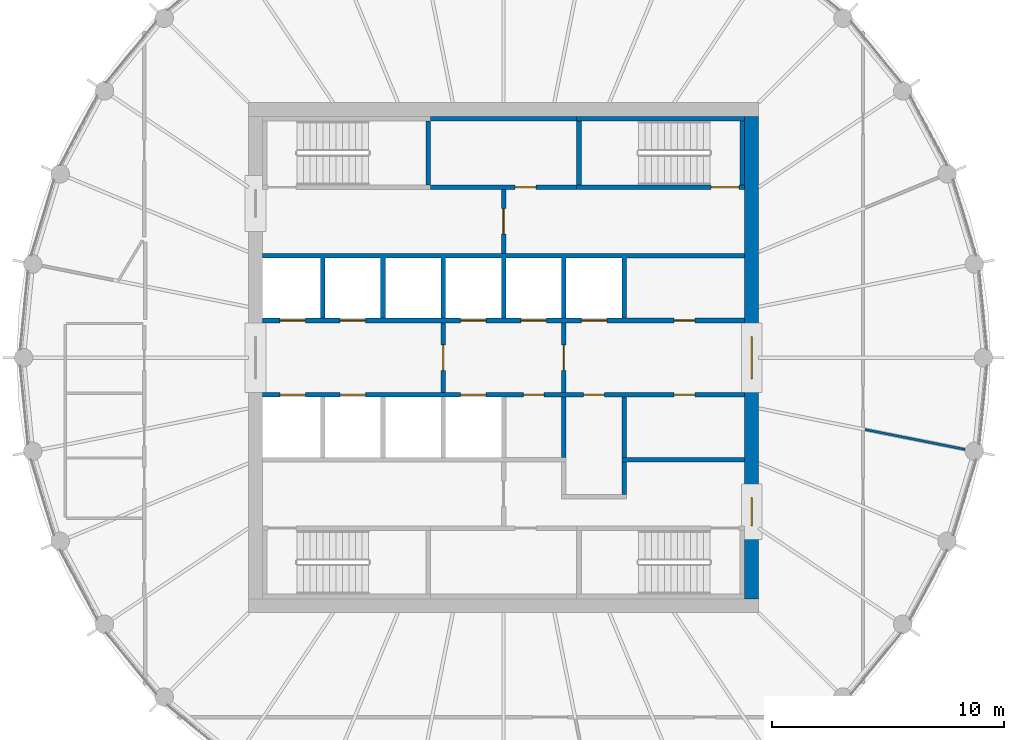
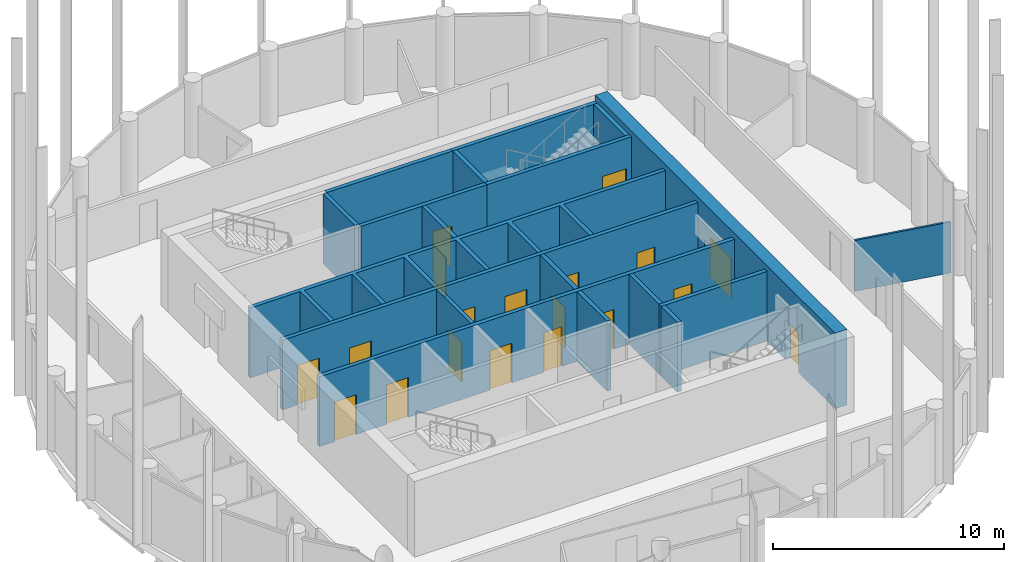
# One storey, part 5 of 7: 19 doors, 19 walls, 19 openings.
"""IFC4 building model written with IfcOpenShell, lengths in metres."""

from ifc_helpers import new_model, si_unit, direction, frame, frame_2d, origin, place, context, subcontext, project, spatial, polyline, rectangle, outline, extrude, material, layer, layer_set, type_object, element, fill, save


model = new_model("IFC4")

# Units and contexts
model_context = context("Model", 3, precision=1e-05, world=origin(), true_north=direction((0.0, 1.0)))
body_context = subcontext(model_context, "Body", "Model", "MODEL_VIEW")
ifc_project = project(units=[si_unit("LENGTHUNIT", "METRE"), si_unit("AREAUNIT", "SQUARE_METRE"), si_unit("VOLUMEUNIT", "CUBIC_METRE"), si_unit("PLANEANGLEUNIT", "RADIAN"), si_unit("MASSUNIT", "GRAM", prefix="KILO")], contexts=[model_context])

# Site, building, storey
site_placement = place(None, origin())
site = spatial("IfcSite", under=ifc_project, at=site_placement, CompositionType="ELEMENT")
building_placement = place(site_placement, origin())
building = spatial("IfcBuilding", under=site, at=building_placement, Name="Corvane Civic Tower", CompositionType="ELEMENT")
storey_placement = place(building_placement, frame((0.0, 0.0, 324.5)))
storey = spatial("IfcBuildingStorey", under=building, at=storey_placement, Name="L77", CompositionType="ELEMENT", Elevation=324.5)

# Wall, openings, doors
ifc_material_1 = material(Name="Concrete C40/50", Category="concrete")
ifc_layer_1 = layer(ifc_material_1, 0.60009765625)
ifc_layer_set_1 = layer_set([ifc_layer_1], Name="Concrete C40/50")
wall_type_1 = type_object("IfcWallType", Name="CORE WALL 600 C40/50", PredefinedType="SHEAR", material=ifc_layer_set_1)
wall_1_placement = place(storey_placement, frame((10.699951171875, -10.39990234375, 0.0), z_axis=(0.0, 0.0, 1.0), x_axis=(0.0, 1.0, 0.0)))
wall_1 = element("IfcWall", 1, at=wall_1_placement, inside=storey, type_object=wall_type_1, Name="W-L77-core-E", PredefinedType="SHEAR", context=body_context, shape_type="SweptSolid", body=[
    extrude(rectangle(XDim=20.7998046875, YDim=0.60009765625, at=frame_2d((10.39990234375, 0.0))), origin(), (0.0, 0.0, 1.0), 4.0),
])
opening_1_placement = place(wall_1_placement, frame((9.5, 0.0, 0.0)))
opening_1 = element("IfcOpeningElement", 2, at=opening_1_placement, cuts=wall_1, Name="Opening L77.C16", PredefinedType="OPENING", context=body_context, shape_type="SweptSolid", body=[
    extrude(rectangle(XDim=1.800048828125, YDim=2.10009765625, at=frame_2d((0.89990234375, 1.050048828125))), frame((0.0, 0.31005859375, 0.0), z_axis=(0.0, -1.0, 0.0), x_axis=(1.0, 0.0, 0.0)), (0.0, 0.0, 1.0), 0.6201171875),
])
opening_2_placement = place(wall_1_placement, frame((3.14990234375, 0.0, 0.0)))
opening_2 = element("IfcOpeningElement", 3, at=opening_2_placement, cuts=wall_1, Name="Opening L77.C18", PredefinedType="OPENING", context=body_context, shape_type="SweptSolid", body=[
    extrude(rectangle(XDim=1.199951171875, YDim=2.10009765625, at=frame_2d((0.60009765625, 1.050048828125))), frame((0.0, 0.31005859375, 0.0), z_axis=(0.0, -1.0, 0.0), x_axis=(1.0, 0.0, 0.0)), (0.0, 0.0, 1.0), 0.6201171875),
])
ifc_material_2 = material(Name="Steel fire door leaf", Category="steel")
door_type_1 = type_object("IfcDoorType", Name="CR-DOOR-CORE-1800", OperationType="DOUBLE_DOOR_SINGLE_SWING", PredefinedType="DOOR", material=ifc_material_2)
door_1_placement = place(opening_1_placement, origin())
door_1 = element("IfcDoor", 4, at=door_1_placement, inside=storey, type_object=door_type_1, Name="L77 door", OperationType="DOUBLE_DOOR_SINGLE_SWING", OverallHeight=2.10009765625, OverallWidth=1.800048828125, PredefinedType="DOOR", context=body_context, shape_type="SweptSolid", body=[
    extrude(rectangle(XDim=1.800048828125, YDim=2.10009765625, at=frame_2d((0.89990234375, 1.050048828125))), frame((0.0, 0.02490234375, 0.0), z_axis=(0.0, -1.0, 0.0), x_axis=(1.0, 0.0, 0.0)), (0.0, 0.0, 1.0), 0.050048828125),
])
fill(opening_1, door_1)
door_2_placement = place(opening_2_placement, origin())
door_2 = element("IfcDoor", 5, at=door_2_placement, inside=storey, type_object=door_type_1, Name="L77 door", OperationType="DOUBLE_DOOR_SINGLE_SWING", OverallHeight=2.10009765625, OverallWidth=1.199951171875, PredefinedType="DOOR", context=body_context, shape_type="SweptSolid", body=[
    extrude(rectangle(XDim=1.199951171875, YDim=2.10009765625, at=frame_2d((0.60009765625, 1.050048828125))), frame((0.0, 0.02490234375, 0.0), z_axis=(0.0, -1.0, 0.0), x_axis=(1.0, 0.0, 0.0)), (0.0, 0.0, 1.0), 0.050048828125),
])
fill(opening_2, door_2)

ifc_material_3 = material(Name="Concrete C30/37", Category="concrete")
ifc_layer_2 = layer(ifc_material_3, 0.199951171875)
ifc_layer_set_2 = layer_set([ifc_layer_2], Name="Concrete C30/37")
wall_type_2 = type_object("IfcWallType", Name="CR-WALL-200", PredefinedType="PARTITIONING", material=ifc_layer_set_2)
wall_2_placement = place(storey_placement, frame((-10.39990234375, -1.60009765625, 0.0), z_axis=(0.0, 0.0, 1.0), x_axis=(1.0, 0.0, 0.0)))
wall_2 = element("IfcWall", 6, at=wall_2_placement, inside=storey, type_object=wall_type_2, Name="L77 lift shaft wall", PredefinedType="PARTITIONING", context=body_context, shape_type="SweptSolid", body=[
    extrude(rectangle(XDim=20.7998046875, YDim=0.199951171875, at=frame_2d((10.39990234375, 0.0))), origin(), (0.0, 0.0, 1.0), 3.699951171875),
])
opening_3_placement = place(wall_2_placement, frame((0.75, 0.0, 0.0)))
opening_3 = element("IfcOpeningElement", 7, at=opening_3_placement, cuts=wall_2, Name="Opening LD", PredefinedType="OPENING", context=body_context, shape_type="SweptSolid", body=[
    extrude(rectangle(XDim=1.10009765625, YDim=2.10009765625, at=frame_2d((0.550048828125, 1.050048828125))), frame((0.0, 0.10986328125, 0.0), z_axis=(0.0, -1.0, 0.0), x_axis=(1.0, 0.0, 0.0)), (0.0, 0.0, 1.0), 0.219970703125),
])
opening_4_placement = place(wall_2_placement, frame((3.35009765625, 0.0, 0.0)))
opening_4 = element("IfcOpeningElement", 8, at=opening_4_placement, cuts=wall_2, Name="Opening LD", PredefinedType="OPENING", context=body_context, shape_type="SweptSolid", body=[
    extrude(rectangle(XDim=1.10009765625, YDim=2.10009765625, at=frame_2d((0.550048828125, 1.050048828125))), frame((0.0, 0.10986328125, 0.0), z_axis=(0.0, -1.0, 0.0), x_axis=(1.0, 0.0, 0.0)), (0.0, 0.0, 1.0), 0.219970703125),
])
opening_5_placement = place(wall_2_placement, frame((8.550048828125, 0.0, 0.0)))
opening_5 = element("IfcOpeningElement", 9, at=opening_5_placement, cuts=wall_2, Name="Opening LD", PredefinedType="OPENING", context=body_context, shape_type="SweptSolid", body=[
    extrude(rectangle(XDim=1.10009765625, YDim=2.10009765625, at=frame_2d((0.550048828125, 1.050048828125))), frame((0.0, 0.10986328125, 0.0), z_axis=(0.0, -1.0, 0.0), x_axis=(1.0, 0.0, 0.0)), (0.0, 0.0, 1.0), 0.219970703125),
])
opening_6_placement = place(wall_2_placement, frame((11.25, 0.0, 0.0)))
opening_6 = element("IfcOpeningElement", 10, at=opening_6_placement, cuts=wall_2, Name="Opening L77.C02", PredefinedType="OPENING", context=body_context, shape_type="SweptSolid", body=[
    extrude(rectangle(XDim=0.89990234375, YDim=2.10009765625, at=frame_2d((0.449951171875, 1.050048828125))), frame((0.0, 0.10986328125, 0.0), z_axis=(0.0, -1.0, 0.0), x_axis=(1.0, 0.0, 0.0)), (0.0, 0.0, 1.0), 0.219970703125),
])
opening_7_placement = place(wall_2_placement, frame((13.85009765625, 0.0, 0.0)))
opening_7 = element("IfcOpeningElement", 11, at=opening_7_placement, cuts=wall_2, Name="Opening L77.C03", PredefinedType="OPENING", context=body_context, shape_type="SweptSolid", body=[
    extrude(rectangle(XDim=0.89990234375, YDim=2.10009765625, at=frame_2d((0.449951171875, 1.050048828125))), frame((0.0, 0.10986328125, 0.0), z_axis=(0.0, -1.0, 0.0), x_axis=(1.0, 0.0, 0.0)), (0.0, 0.0, 1.0), 0.219970703125),
])
opening_8_placement = place(wall_2_placement, frame((17.75, 0.0, 0.0)))
opening_8 = element("IfcOpeningElement", 12, at=opening_8_placement, cuts=wall_2, Name="Opening L77.C04", PredefinedType="OPENING", context=body_context, shape_type="SweptSolid", body=[
    extrude(rectangle(XDim=0.89990234375, YDim=2.10009765625, at=frame_2d((0.449951171875, 1.050048828125))), frame((0.0, 0.10986328125, 0.0), z_axis=(0.0, -1.0, 0.0), x_axis=(1.0, 0.0, 0.0)), (0.0, 0.0, 1.0), 0.219970703125),
])
ifc_material_4 = material(Name="Steel fire door leaf", Category="steel")
door_type_2 = type_object("IfcDoorType", Name="CR-DOOR-900", OperationType="SINGLE_SWING_LEFT", PredefinedType="DOOR", material=ifc_material_4)
door_3_placement = place(opening_6_placement, origin())
door_3 = element("IfcDoor", 13, at=door_3_placement, inside=storey, type_object=door_type_2, Name="L77 door", OperationType="SINGLE_SWING_LEFT", OverallHeight=2.10009765625, OverallWidth=0.89990234375, PredefinedType="DOOR", context=body_context, shape_type="SweptSolid", body=[
    extrude(rectangle(XDim=0.89990234375, YDim=2.10009765625, at=frame_2d((0.449951171875, 1.050048828125))), frame((0.0, 0.02490234375, 0.0), z_axis=(0.0, -1.0, 0.0), x_axis=(1.0, 0.0, 0.0)), (0.0, 0.0, 1.0), 0.050048828125),
])
fill(opening_6, door_3)
door_4_placement = place(opening_7_placement, origin())
door_4 = element("IfcDoor", 14, at=door_4_placement, inside=storey, type_object=door_type_2, Name="L77 door", OperationType="SINGLE_SWING_LEFT", OverallHeight=2.10009765625, OverallWidth=0.89990234375, PredefinedType="DOOR", context=body_context, shape_type="SweptSolid", body=[
    extrude(rectangle(XDim=0.89990234375, YDim=2.10009765625, at=frame_2d((0.449951171875, 1.050048828125))), frame((0.0, 0.02490234375, 0.0), z_axis=(0.0, -1.0, 0.0), x_axis=(1.0, 0.0, 0.0)), (0.0, 0.0, 1.0), 0.050048828125),
])
fill(opening_7, door_4)
door_5_placement = place(opening_8_placement, origin())
door_5 = element("IfcDoor", 15, at=door_5_placement, inside=storey, type_object=door_type_2, Name="L77 door", OperationType="SINGLE_SWING_LEFT", OverallHeight=2.10009765625, OverallWidth=0.89990234375, PredefinedType="DOOR", context=body_context, shape_type="SweptSolid", body=[
    extrude(rectangle(XDim=0.89990234375, YDim=2.10009765625, at=frame_2d((0.449951171875, 1.050048828125))), frame((0.0, 0.02490234375, 0.0), z_axis=(0.0, -1.0, 0.0), x_axis=(1.0, 0.0, 0.0)), (0.0, 0.0, 1.0), 0.050048828125),
])
fill(opening_8, door_5)
ifc_material_5 = material(Name="Stainless steel 316 door leaves", Category="steel")
door_type_3 = type_object("IfcDoorType", Name="LD", OperationType="DOUBLE_DOOR_SLIDING", PredefinedType="DOOR", material=ifc_material_5)
door_6_placement = place(opening_3_placement, origin())
door_6 = element("IfcDoor", 16, at=door_6_placement, inside=storey, type_object=door_type_3, Name="L77 landing door", OperationType="DOUBLE_DOOR_SLIDING", OverallHeight=2.10009765625, OverallWidth=1.10009765625, PredefinedType="DOOR", context=body_context, shape_type="SweptSolid", body=[
    extrude(rectangle(XDim=1.10009765625, YDim=2.10009765625, at=frame_2d((0.550048828125, 1.050048828125))), frame((0.0, 0.02490234375, 0.0), z_axis=(0.0, -1.0, 0.0), x_axis=(1.0, 0.0, 0.0)), (0.0, 0.0, 1.0), 0.050048828125),
])
fill(opening_3, door_6)
door_7_placement = place(opening_4_placement, origin())
door_7 = element("IfcDoor", 17, at=door_7_placement, inside=storey, type_object=door_type_3, Name="L77 landing door", OperationType="DOUBLE_DOOR_SLIDING", OverallHeight=2.10009765625, OverallWidth=1.10009765625, PredefinedType="DOOR", context=body_context, shape_type="SweptSolid", body=[
    extrude(rectangle(XDim=1.10009765625, YDim=2.10009765625, at=frame_2d((0.550048828125, 1.050048828125))), frame((0.0, 0.02490234375, 0.0), z_axis=(0.0, -1.0, 0.0), x_axis=(1.0, 0.0, 0.0)), (0.0, 0.0, 1.0), 0.050048828125),
])
fill(opening_4, door_7)
door_8_placement = place(opening_5_placement, origin())
door_8 = element("IfcDoor", 18, at=door_8_placement, inside=storey, type_object=door_type_3, Name="L77 landing door", OperationType="DOUBLE_DOOR_SLIDING", OverallHeight=2.10009765625, OverallWidth=1.10009765625, PredefinedType="DOOR", context=body_context, shape_type="SweptSolid", body=[
    extrude(rectangle(XDim=1.10009765625, YDim=2.10009765625, at=frame_2d((0.550048828125, 1.050048828125))), frame((0.0, 0.02490234375, 0.0), z_axis=(0.0, -1.0, 0.0), x_axis=(1.0, 0.0, 0.0)), (0.0, 0.0, 1.0), 0.050048828125),
])
fill(opening_5, door_8)

wall_3_placement = place(storey_placement, frame((-10.39990234375, 1.60009765625, 0.0), z_axis=(0.0, 0.0, 1.0), x_axis=(1.0, 0.0, 0.0)))
wall_3 = element("IfcWall", 19, at=wall_3_placement, inside=storey, type_object=wall_type_2, Name="L77 lift shaft wall", PredefinedType="PARTITIONING", context=body_context, shape_type="SweptSolid", body=[
    extrude(rectangle(XDim=20.7998046875, YDim=0.199951171875, at=frame_2d((10.39990234375, 0.0))), origin(), (0.0, 0.0, 1.0), 3.699951171875),
])
opening_9_placement = place(wall_3_placement, frame((0.75, 0.0, 0.0)))
opening_9 = element("IfcOpeningElement", 20, at=opening_9_placement, cuts=wall_3, Name="Opening LD", PredefinedType="OPENING", context=body_context, shape_type="SweptSolid", body=[
    extrude(rectangle(XDim=1.10009765625, YDim=2.10009765625, at=frame_2d((0.550048828125, 1.050048828125))), frame((0.0, 0.10986328125, 0.0), z_axis=(0.0, -1.0, 0.0), x_axis=(1.0, 0.0, 0.0)), (0.0, 0.0, 1.0), 0.219970703125),
])
opening_10_placement = place(wall_3_placement, frame((3.35009765625, 0.0, 0.0)))
opening_10 = element("IfcOpeningElement", 21, at=opening_10_placement, cuts=wall_3, Name="Opening LD", PredefinedType="OPENING", context=body_context, shape_type="SweptSolid", body=[
    extrude(rectangle(XDim=1.10009765625, YDim=2.10009765625, at=frame_2d((0.550048828125, 1.050048828125))), frame((0.0, 0.10986328125, 0.0), z_axis=(0.0, -1.0, 0.0), x_axis=(1.0, 0.0, 0.0)), (0.0, 0.0, 1.0), 0.219970703125),
])
opening_11_placement = place(wall_3_placement, frame((8.550048828125, 0.0, 0.0)))
opening_11 = element("IfcOpeningElement", 22, at=opening_11_placement, cuts=wall_3, Name="Opening LD", PredefinedType="OPENING", context=body_context, shape_type="SweptSolid", body=[
    extrude(rectangle(XDim=1.10009765625, YDim=2.10009765625, at=frame_2d((0.550048828125, 1.050048828125))), frame((0.0, 0.10986328125, 0.0), z_axis=(0.0, -1.0, 0.0), x_axis=(1.0, 0.0, 0.0)), (0.0, 0.0, 1.0), 0.219970703125),
])
opening_12_placement = place(wall_3_placement, frame((11.14990234375, 0.0, 0.0)))
opening_12 = element("IfcOpeningElement", 23, at=opening_12_placement, cuts=wall_3, Name="Opening LD", PredefinedType="OPENING", context=body_context, shape_type="SweptSolid", body=[
    extrude(rectangle(XDim=1.10009765625, YDim=2.10009765625, at=frame_2d((0.550048828125, 1.050048828125))), frame((0.0, 0.10986328125, 0.0), z_axis=(0.0, -1.0, 0.0), x_axis=(1.0, 0.0, 0.0)), (0.0, 0.0, 1.0), 0.219970703125),
])
opening_13_placement = place(wall_3_placement, frame((13.75, 0.0, 0.0)))
opening_13 = element("IfcOpeningElement", 24, at=opening_13_placement, cuts=wall_3, Name="Opening LD", PredefinedType="OPENING", context=body_context, shape_type="SweptSolid", body=[
    extrude(rectangle(XDim=1.10009765625, YDim=2.10009765625, at=frame_2d((0.550048828125, 1.050048828125))), frame((0.0, 0.10986328125, 0.0), z_axis=(0.0, -1.0, 0.0), x_axis=(1.0, 0.0, 0.0)), (0.0, 0.0, 1.0), 0.219970703125),
])
opening_14_placement = place(wall_3_placement, frame((17.75, 0.0, 0.0)))
opening_14 = element("IfcOpeningElement", 25, at=opening_14_placement, cuts=wall_3, Name="Opening L77.C01", PredefinedType="OPENING", context=body_context, shape_type="SweptSolid", body=[
    extrude(rectangle(XDim=0.89990234375, YDim=2.10009765625, at=frame_2d((0.449951171875, 1.050048828125))), frame((0.0, 0.10986328125, 0.0), z_axis=(0.0, -1.0, 0.0), x_axis=(1.0, 0.0, 0.0)), (0.0, 0.0, 1.0), 0.219970703125),
])
door_9_placement = place(opening_14_placement, origin())
door_9 = element("IfcDoor", 26, at=door_9_placement, inside=storey, type_object=door_type_2, Name="L77 door", OperationType="SINGLE_SWING_LEFT", OverallHeight=2.10009765625, OverallWidth=0.89990234375, PredefinedType="DOOR", context=body_context, shape_type="SweptSolid", body=[
    extrude(rectangle(XDim=0.89990234375, YDim=2.10009765625, at=frame_2d((0.449951171875, 1.050048828125))), frame((0.0, 0.02490234375, 0.0), z_axis=(0.0, -1.0, 0.0), x_axis=(1.0, 0.0, 0.0)), (0.0, 0.0, 1.0), 0.050048828125),
])
fill(opening_14, door_9)
door_10_placement = place(opening_9_placement, origin())
door_10 = element("IfcDoor", 27, at=door_10_placement, inside=storey, type_object=door_type_3, Name="L77 landing door", OperationType="DOUBLE_DOOR_SLIDING", OverallHeight=2.10009765625, OverallWidth=1.10009765625, PredefinedType="DOOR", context=body_context, shape_type="SweptSolid", body=[
    extrude(rectangle(XDim=1.10009765625, YDim=2.10009765625, at=frame_2d((0.550048828125, 1.050048828125))), frame((0.0, 0.02490234375, 0.0), z_axis=(0.0, -1.0, 0.0), x_axis=(1.0, 0.0, 0.0)), (0.0, 0.0, 1.0), 0.050048828125),
])
fill(opening_9, door_10)
door_11_placement = place(opening_10_placement, origin())
door_11 = element("IfcDoor", 28, at=door_11_placement, inside=storey, type_object=door_type_3, Name="L77 landing door", OperationType="DOUBLE_DOOR_SLIDING", OverallHeight=2.10009765625, OverallWidth=1.10009765625, PredefinedType="DOOR", context=body_context, shape_type="SweptSolid", body=[
    extrude(rectangle(XDim=1.10009765625, YDim=2.10009765625, at=frame_2d((0.550048828125, 1.050048828125))), frame((0.0, 0.02490234375, 0.0), z_axis=(0.0, -1.0, 0.0), x_axis=(1.0, 0.0, 0.0)), (0.0, 0.0, 1.0), 0.050048828125),
])
fill(opening_10, door_11)
door_12_placement = place(opening_11_placement, origin())
door_12 = element("IfcDoor", 29, at=door_12_placement, inside=storey, type_object=door_type_3, Name="L77 landing door", OperationType="DOUBLE_DOOR_SLIDING", OverallHeight=2.10009765625, OverallWidth=1.10009765625, PredefinedType="DOOR", context=body_context, shape_type="SweptSolid", body=[
    extrude(rectangle(XDim=1.10009765625, YDim=2.10009765625, at=frame_2d((0.550048828125, 1.050048828125))), frame((0.0, 0.02490234375, 0.0), z_axis=(0.0, -1.0, 0.0), x_axis=(1.0, 0.0, 0.0)), (0.0, 0.0, 1.0), 0.050048828125),
])
fill(opening_11, door_12)
door_13_placement = place(opening_12_placement, origin())
door_13 = element("IfcDoor", 30, at=door_13_placement, inside=storey, type_object=door_type_3, Name="L77 landing door", OperationType="DOUBLE_DOOR_SLIDING", OverallHeight=2.10009765625, OverallWidth=1.10009765625, PredefinedType="DOOR", context=body_context, shape_type="SweptSolid", body=[
    extrude(rectangle(XDim=1.10009765625, YDim=2.10009765625, at=frame_2d((0.550048828125, 1.050048828125))), frame((0.0, 0.02490234375, 0.0), z_axis=(0.0, -1.0, 0.0), x_axis=(1.0, 0.0, 0.0)), (0.0, 0.0, 1.0), 0.050048828125),
])
fill(opening_12, door_13)
door_14_placement = place(opening_13_placement, origin())
door_14 = element("IfcDoor", 31, at=door_14_placement, inside=storey, type_object=door_type_3, Name="L77 landing door", OperationType="DOUBLE_DOOR_SLIDING", OverallHeight=2.10009765625, OverallWidth=1.10009765625, PredefinedType="DOOR", context=body_context, shape_type="SweptSolid", body=[
    extrude(rectangle(XDim=1.10009765625, YDim=2.10009765625, at=frame_2d((0.550048828125, 1.050048828125))), frame((0.0, 0.02490234375, 0.0), z_axis=(0.0, -1.0, 0.0), x_axis=(1.0, 0.0, 0.0)), (0.0, 0.0, 1.0), 0.050048828125),
])
fill(opening_13, door_14)

# Wall, opening, door
wall_4_placement = place(storey_placement, frame((-3.14990234375, 7.35009765625, 0.0), z_axis=(0.0, 0.0, 1.0), x_axis=(1.0, 0.0, 0.0)))
wall_4 = element("IfcWall", 32, at=wall_4_placement, inside=storey, type_object=wall_type_2, Name="L77 partition wall", PredefinedType="PARTITIONING", context=body_context, shape_type="SweptSolid", body=[
    extrude(rectangle(XDim=6.2998046875, YDim=0.199951171875, at=frame_2d((3.14990234375, 0.0))), origin(), (0.0, 0.0, 1.0), 3.699951171875),
])
opening_15_placement = place(wall_4_placement, frame((3.64990234375, 0.0, 0.0)))
opening_15 = element("IfcOpeningElement", 33, at=opening_15_placement, cuts=wall_4, Name="Opening L77.C05", PredefinedType="OPENING", context=body_context, shape_type="SweptSolid", body=[
    extrude(rectangle(XDim=0.89990234375, YDim=2.10009765625, at=frame_2d((0.449951171875, 1.050048828125))), frame((0.0, 0.10986328125, 0.0), z_axis=(0.0, -1.0, 0.0), x_axis=(1.0, 0.0, 0.0)), (0.0, 0.0, 1.0), 0.219970703125),
])
door_15_placement = place(opening_15_placement, origin())
door_15 = element("IfcDoor", 34, at=door_15_placement, inside=storey, type_object=door_type_2, Name="L77 door", OperationType="SINGLE_SWING_LEFT", OverallHeight=2.10009765625, OverallWidth=0.89990234375, PredefinedType="DOOR", context=body_context, shape_type="SweptSolid", body=[
    extrude(rectangle(XDim=0.89990234375, YDim=2.10009765625, at=frame_2d((0.449951171875, 1.050048828125))), frame((0.0, 0.02490234375, 0.0), z_axis=(0.0, -1.0, 0.0), x_axis=(1.0, 0.0, 0.0)), (0.0, 0.0, 1.0), 0.050048828125),
])
fill(opening_15, door_15)

wall_5_placement = place(storey_placement, frame((-2.60009765625, -1.5, 0.0), z_axis=(0.0, 0.0, 1.0), x_axis=(0.0, 1.0, 0.0)))
wall_5 = element("IfcWall", 35, at=wall_5_placement, inside=storey, type_object=wall_type_2, Name="L77 firefighting lobby wall", PredefinedType="PARTITIONING", context=body_context, shape_type="SweptSolid", body=[
    extrude(rectangle(XDim=3.0, YDim=0.199951171875, at=frame_2d((1.5, 0.0))), origin(), (0.0, 0.0, 1.0), 3.699951171875),
])
opening_16_placement = place(wall_5_placement, frame((0.949951171875, 0.0, 0.0)))
opening_16 = element("IfcOpeningElement", 36, at=opening_16_placement, cuts=wall_5, Name="Opening L77.C11", PredefinedType="OPENING", context=body_context, shape_type="SweptSolid", body=[
    extrude(rectangle(XDim=1.10009765625, YDim=2.10009765625, at=frame_2d((0.550048828125, 1.050048828125))), frame((0.0, 0.10986328125, 0.0), z_axis=(0.0, -1.0, 0.0), x_axis=(1.0, 0.0, 0.0)), (0.0, 0.0, 1.0), 0.219970703125),
])
ifc_material_6 = material(Name="Steel fire door leaf", Category="steel")
door_type_4 = type_object("IfcDoorType", Name="CR-DOOR-FFL-1100", OperationType="SINGLE_SWING_LEFT", PredefinedType="DOOR", material=ifc_material_6)
door_16_placement = place(opening_16_placement, origin())
door_16 = element("IfcDoor", 37, at=door_16_placement, inside=storey, type_object=door_type_4, Name="L77 lobby door", OperationType="SINGLE_SWING_LEFT", OverallHeight=2.10009765625, OverallWidth=1.10009765625, PredefinedType="DOOR", context=body_context, shape_type="SweptSolid", body=[
    extrude(rectangle(XDim=1.10009765625, YDim=2.10009765625, at=frame_2d((0.550048828125, 1.050048828125))), frame((0.0, 0.02490234375, 0.0), z_axis=(0.0, -1.0, 0.0), x_axis=(1.0, 0.0, 0.0)), (0.0, 0.0, 1.0), 0.050048828125),
])
fill(opening_16, door_16)

wall_6_placement = place(storey_placement, frame((0.0, 4.5, 0.0), z_axis=(0.0, 0.0, 1.0), x_axis=(0.0, 1.0, 0.0)))
wall_6 = element("IfcWall", 38, at=wall_6_placement, inside=storey, type_object=wall_type_2, Name="L77 core partition wall", PredefinedType="PARTITIONING", context=body_context, shape_type="SweptSolid", body=[
    extrude(rectangle(XDim=2.75, YDim=0.199951171875, at=frame_2d((1.375, 0.0))), origin(), (0.0, 0.0, 1.0), 3.699951171875),
])
opening_17_placement = place(wall_6_placement, frame((0.824951171875, 0.0, 0.0)))
opening_17 = element("IfcOpeningElement", 39, at=opening_17_placement, cuts=wall_6, Name="Opening L77.C13", PredefinedType="OPENING", context=body_context, shape_type="SweptSolid", body=[
    extrude(rectangle(XDim=1.10009765625, YDim=2.10009765625, at=frame_2d((0.550048828125, 1.050048828125))), frame((0.0, 0.10986328125, 0.0), z_axis=(0.0, -1.0, 0.0), x_axis=(1.0, 0.0, 0.0)), (0.0, 0.0, 1.0), 0.219970703125),
])
door_17_placement = place(opening_17_placement, origin())
door_17 = element("IfcDoor", 40, at=door_17_placement, inside=storey, type_object=door_type_4, Name="L77 lobby door", OperationType="SINGLE_SWING_LEFT", OverallHeight=2.10009765625, OverallWidth=1.10009765625, PredefinedType="DOOR", context=body_context, shape_type="SweptSolid", body=[
    extrude(rectangle(XDim=1.10009765625, YDim=2.10009765625, at=frame_2d((0.550048828125, 1.050048828125))), frame((0.0, 0.02490234375, 0.0), z_axis=(0.0, -1.0, 0.0), x_axis=(1.0, 0.0, 0.0)), (0.0, 0.0, 1.0), 0.050048828125),
])
fill(opening_17, door_17)

wall_7_placement = place(storey_placement, frame((2.60009765625, -1.5, 0.0), z_axis=(0.0, 0.0, 1.0), x_axis=(0.0, 1.0, 0.0)))
wall_7 = element("IfcWall", 41, at=wall_7_placement, inside=storey, type_object=wall_type_2, Name="L77 firefighting lobby wall", PredefinedType="PARTITIONING", context=body_context, shape_type="SweptSolid", body=[
    extrude(rectangle(XDim=3.0, YDim=0.199951171875, at=frame_2d((1.5, 0.0))), origin(), (0.0, 0.0, 1.0), 3.699951171875),
])
opening_18_placement = place(wall_7_placement, frame((0.949951171875, 0.0, 0.0)))
opening_18 = element("IfcOpeningElement", 42, at=opening_18_placement, cuts=wall_7, Name="Opening L77.C12", PredefinedType="OPENING", context=body_context, shape_type="SweptSolid", body=[
    extrude(rectangle(XDim=1.10009765625, YDim=2.10009765625, at=frame_2d((0.550048828125, 1.050048828125))), frame((0.0, 0.10986328125, 0.0), z_axis=(0.0, -1.0, 0.0), x_axis=(1.0, 0.0, 0.0)), (0.0, 0.0, 1.0), 0.219970703125),
])
door_18_placement = place(opening_18_placement, origin())
door_18 = element("IfcDoor", 43, at=door_18_placement, inside=storey, type_object=door_type_4, Name="L77 lobby door", OperationType="SINGLE_SWING_LEFT", OverallHeight=2.10009765625, OverallWidth=1.10009765625, PredefinedType="DOOR", context=body_context, shape_type="SweptSolid", body=[
    extrude(rectangle(XDim=1.10009765625, YDim=2.10009765625, at=frame_2d((0.550048828125, 1.050048828125))), frame((0.0, 0.02490234375, 0.0), z_axis=(0.0, -1.0, 0.0), x_axis=(1.0, 0.0, 0.0)), (0.0, 0.0, 1.0), 0.050048828125),
])
fill(opening_18, door_18)

# Walls
wall_8_placement = place(storey_placement, origin())
element("IfcWall", 44, at=wall_8_placement, inside=storey, type_object=wall_type_2, Name="L77 core partition wall", PredefinedType="PARTITIONING", context=body_context, shape_type="SweptSolid", body=[
    extrude(outline(polyline([(10.39990234375, -4.5), (5.10009765625, -4.5), (5.10009765625, -4.300048828125), (10.39990234375, -4.300048828125), (10.39990234375, -4.5)])), origin(), (0.0, 0.0, 1.0), 3.699951171875),
])
wall_9_placement = place(storey_placement, origin())
element("IfcWall", 45, at=wall_9_placement, inside=storey, type_object=wall_type_2, Name="L77 core partition wall", PredefinedType="PARTITIONING", context=body_context, shape_type="SweptSolid", body=[
    extrude(outline(polyline([(2.699951171875, -1.699951171875), (2.699951171875, -4.2998046875), (2.5, -4.2998046875), (2.5, -1.699951171875), (2.699951171875, -1.699951171875)])), origin(), (0.0, 0.0, 1.0), 3.699951171875),
])
wall_10_placement = place(storey_placement, origin())
element("IfcWall", 46, at=wall_10_placement, inside=storey, type_object=wall_type_2, Name="L77 core partition wall", PredefinedType="PARTITIONING", context=body_context, shape_type="SweptSolid", body=[
    extrude(outline(polyline([(5.300048828125, -1.699951171875), (5.300048828125, -4.2998046875), (5.10009765625, -4.2998046875), (5.10009765625, -1.699951171875), (5.300048828125, -1.699951171875)])), origin(), (0.0, 0.0, 1.0), 3.699951171875),
])
wall_11_placement = place(storey_placement, origin())
element("IfcWall", 47, at=wall_11_placement, inside=storey, type_object=wall_type_2, Name="L77 core partition wall", PredefinedType="PARTITIONING", context=body_context, shape_type="SweptSolid", body=[
    extrude(outline(polyline([(5.300048828125, -5.89990234375), (5.10009765625, -5.89990234375), (5.10009765625, -4.5), (5.300048828125, -4.5), (5.300048828125, -5.89990234375)])), origin(), (0.0, 0.0, 1.0), 3.699951171875),
])
wall_12_placement = place(storey_placement, origin())
element("IfcWall", 48, at=wall_12_placement, inside=storey, type_object=wall_type_2, Name="L77 core partition wall", PredefinedType="PARTITIONING", context=body_context, shape_type="SweptSolid", body=[
    extrude(outline(polyline([(-7.699951171875, 1.699951171875), (-7.89990234375, 1.699951171875), (-7.89990234375, 4.300048828125), (-10.39990234375, 4.300048828125), (-10.39990234375, 4.5), (10.39990234375, 4.5), (10.39990234375, 4.300048828125), (5.300048828125, 4.300048828125), (5.300048828125, 1.699951171875), (5.10009765625, 1.699951171875), (5.10009765625, 4.300048828125), (2.699951171875, 4.300048828125), (2.699951171875, 1.699951171875), (2.5, 1.699951171875), (2.5, 4.300048828125), (0.10009765625, 4.300048828125), (0.10009765625, 1.699951171875), (-0.10009765625, 1.699951171875), (-0.10009765625, 4.300048828125), (-2.5, 4.300048828125), (-2.5, 1.699951171875), (-2.699951171875, 1.699951171875), (-2.699951171875, 4.300048828125), (-5.10009765625, 4.300048828125), (-5.10009765625, 1.699951171875), (-5.300048828125, 1.699951171875), (-5.300048828125, 4.300048828125), (-7.699951171875, 4.300048828125), (-7.699951171875, 1.699951171875)])), origin(), (0.0, 0.0, 1.0), 3.699951171875),
])
wall_13_placement = place(storey_placement, origin())
element("IfcWall", 49, at=wall_13_placement, inside=storey, type_object=wall_type_2, Name="L77 core partition wall", PredefinedType="PARTITIONING", context=body_context, shape_type="SweptSolid", body=[
    extrude(outline(polyline([(3.14990234375, 10.199951171875), (-3.14990234375, 10.199951171875), (-3.14990234375, 10.39990234375), (3.14990234375, 10.39990234375), (3.14990234375, 10.199951171875)])), origin(), (0.0, 0.0, 1.0), 3.699951171875),
])
ifc_material_7 = material(Name="Plasterboard")
ifc_layer_3 = layer(ifc_material_7, 0.10009765625)
ifc_layer_set_3 = layer_set([ifc_layer_3], Name="Plasterboard")
wall_type_3 = type_object("IfcWallType", Name="Partition 100 plasterboard on studs", PredefinedType="PARTITIONING", material=ifc_layer_set_3)
wall_14_placement = place(storey_placement, frame((15.584716796875, -3.10009765625, 0.0), z_axis=(0.0, 0.0, 1.0), x_axis=(0.98078501504, -0.195091656081, 0.0)))
element("IfcWall", 50, at=wall_14_placement, inside=storey, type_object=wall_type_3, Name="Partition L77.011", PredefinedType="PARTITIONING", context=body_context, shape_type="SweptSolid", body=[
    extrude(rectangle(XDim=4.39990234375, YDim=0.10009765625, at=frame_2d((2.199951171875, 0.0))), origin(), (0.0, 0.0, 1.0), 2.699951171875),
])

# Wall, opening, door
ifc_material_8 = material(Name="Concrete C50/60", Category="concrete")
ifc_layer_4 = layer(ifc_material_8, 0.199951171875)
ifc_layer_set_4 = layer_set([ifc_layer_4], Name="Concrete C50/60")
wall_type_4 = type_object("IfcWallType", Name="ST-WALL-200", PredefinedType="SHEAR", material=ifc_layer_set_4)
wall_15_placement = place(storey_placement, frame((3.14990234375, 7.35009765625, 0.0), z_axis=(0.0, 0.0, 1.0), x_axis=(1.0, 0.0, 0.0)))
wall_15 = element("IfcWall", 51, at=wall_15_placement, inside=storey, type_object=wall_type_4, Name="L77 stair enclosure wall", PredefinedType="SHEAR", context=body_context, shape_type="SweptSolid", body=[
    extrude(rectangle(XDim=7.25, YDim=0.199951171875, at=frame_2d((3.625, 0.0))), origin(), (0.0, 0.0, 1.0), 3.699951171875),
])
opening_19_placement = place(wall_15_placement, frame((5.800048828125, 0.0, 0.0)))
opening_19 = element("IfcOpeningElement", 52, at=opening_19_placement, cuts=wall_15, Name="Opening L77.C07", PredefinedType="OPENING", context=body_context, shape_type="SweptSolid", body=[
    extrude(rectangle(XDim=1.199951171875, YDim=2.10009765625, at=frame_2d((0.60009765625, 1.050048828125))), frame((0.0, 0.10986328125, 0.0), z_axis=(0.0, -1.0, 0.0), x_axis=(1.0, 0.0, 0.0)), (0.0, 0.0, 1.0), 0.219970703125),
])
ifc_material_9 = material(Name="Steel fire door leaf", Category="steel")
door_type_5 = type_object("IfcDoorType", Name="ST-DOOR-1200", OperationType="SINGLE_SWING_RIGHT", PredefinedType="DOOR", material=ifc_material_9)
door_19_placement = place(opening_19_placement, origin())
door_19 = element("IfcDoor", 53, at=door_19_placement, inside=storey, type_object=door_type_5, Name="L77 stair door", OperationType="SINGLE_SWING_RIGHT", OverallHeight=2.10009765625, OverallWidth=1.199951171875, PredefinedType="DOOR", context=body_context, shape_type="SweptSolid", body=[
    extrude(rectangle(XDim=1.199951171875, YDim=2.10009765625, at=frame_2d((0.60009765625, 1.050048828125))), frame((0.0, 0.02490234375, 0.0), z_axis=(0.0, -1.0, 0.0), x_axis=(1.0, 0.0, 0.0)), (0.0, 0.0, 1.0), 0.050048828125),
])
fill(opening_19, door_19)

# Walls
wall_16_placement = place(storey_placement, origin())
element("IfcWall", 54, at=wall_16_placement, inside=storey, type_object=wall_type_4, Name="L77 stair enclosure wall", PredefinedType="SHEAR", context=body_context, shape_type="SweptSolid", body=[
    extrude(outline(polyline([(10.39990234375, 10.199951171875), (3.14990234375, 10.199951171875), (3.14990234375, 10.39990234375), (10.39990234375, 10.39990234375), (10.39990234375, 10.199951171875)])), origin(), (0.0, 0.0, 1.0), 3.699951171875),
])
wall_17_placement = place(storey_placement, origin())
element("IfcWall", 55, at=wall_17_placement, inside=storey, type_object=wall_type_4, Name="L77 stair enclosure wall", PredefinedType="SHEAR", context=body_context, shape_type="SweptSolid", body=[
    extrude(outline(polyline([(-3.14990234375, 7.449951171875), (-3.35009765625, 7.449951171875), (-3.35009765625, 10.199951171875), (-3.14990234375, 10.199951171875), (-3.14990234375, 7.449951171875)])), origin(), (0.0, 0.0, 1.0), 3.699951171875),
])
wall_18_placement = place(storey_placement, origin())
element("IfcWall", 56, at=wall_18_placement, inside=storey, type_object=wall_type_4, Name="L77 stair enclosure wall", PredefinedType="SHEAR", context=body_context, shape_type="SweptSolid", body=[
    extrude(outline(polyline([(3.35009765625, 7.449951171875), (3.14990234375, 7.449951171875), (3.14990234375, 10.199951171875), (3.35009765625, 10.199951171875), (3.35009765625, 7.449951171875)])), origin(), (0.0, 0.0, 1.0), 3.699951171875),
])
wall_19_placement = place(storey_placement, origin())
element("IfcWall", 57, at=wall_19_placement, inside=storey, type_object=wall_type_4, Name="L77 stair enclosure wall", PredefinedType="SHEAR", context=body_context, shape_type="SweptSolid", body=[
    extrude(outline(polyline([(10.39990234375, 7.449951171875), (10.199951171875, 7.449951171875), (10.199951171875, 10.199951171875), (10.39990234375, 10.199951171875), (10.39990234375, 7.449951171875)])), origin(), (0.0, 0.0, 1.0), 3.699951171875),
])

save(model, "model.ifc")
